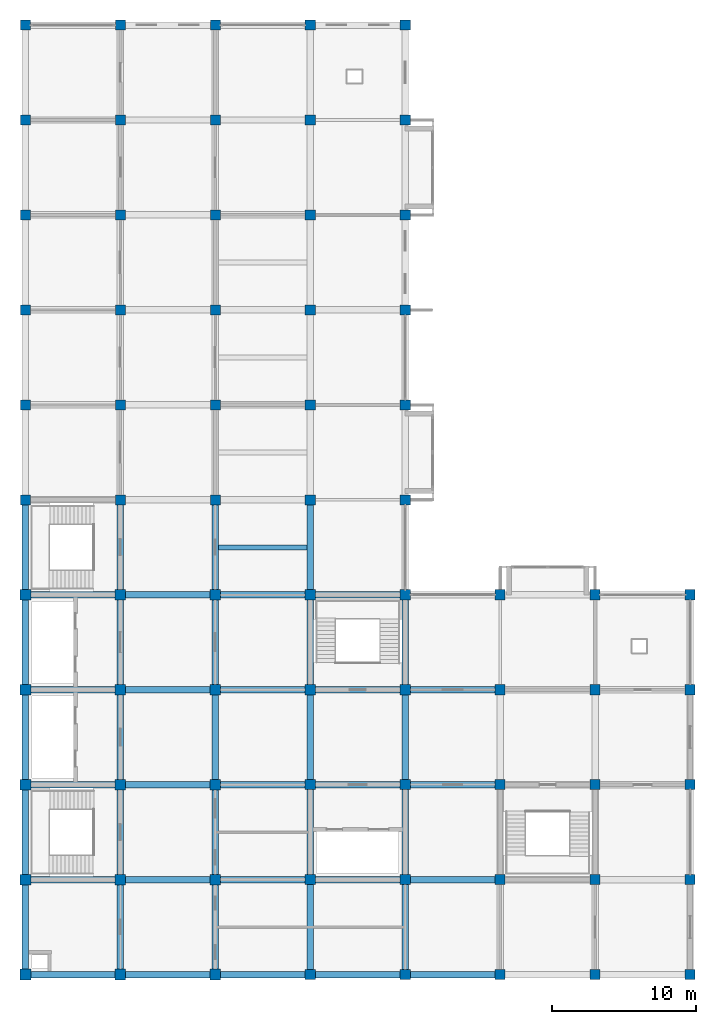
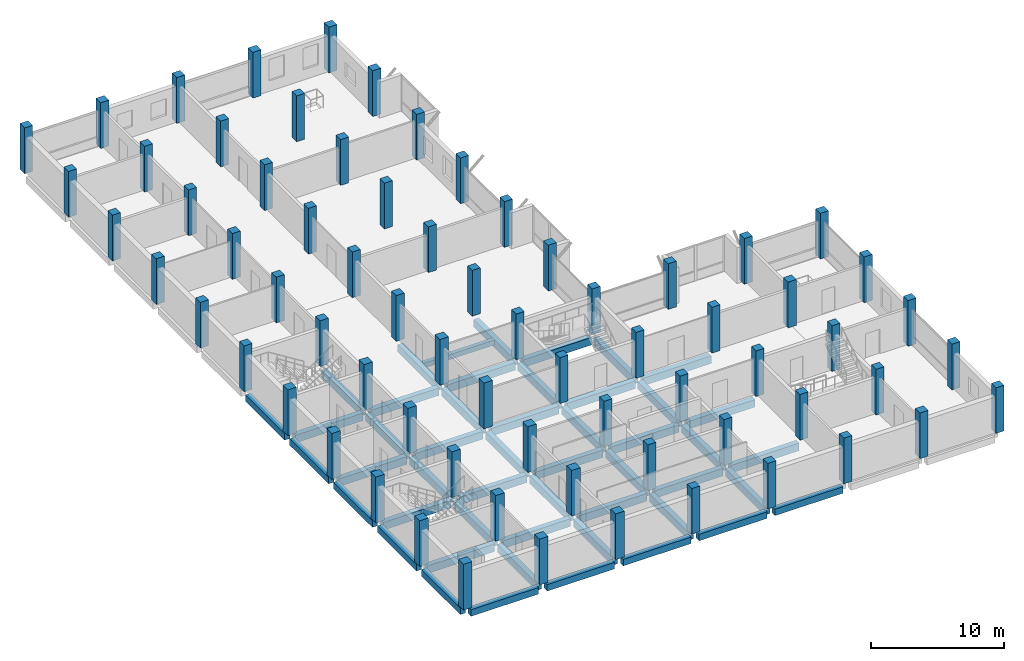
# One storey, part 1 of 11: 70 columns, 49 beams.
"""IFC4 building model written with IfcOpenShell, lengths in metres."""

from ifc_helpers import new_model, si_unit, direction, frame, origin, origin_2d, place, context, subcontext, project, spatial, rectangle, extrude, material, material_profile, profile_set, type_object, element, save


model = new_model("IFC4")

# Units and contexts
model_context = context("Model", 3, precision=1e-05, world=origin(), true_north=direction((0.0, 1.0)))
body_context = subcontext(model_context, "Body", "Model", "MODEL_VIEW")
ifc_project = project(units=[si_unit("LENGTHUNIT", "METRE"), si_unit("AREAUNIT", "SQUARE_METRE"), si_unit("VOLUMEUNIT", "CUBIC_METRE"), si_unit("PLANEANGLEUNIT", "RADIAN"), si_unit("MASSUNIT", "GRAM", prefix="KILO")], contexts=[model_context])

# Site, building, storey
site_placement = place(None, origin())
site = spatial("IfcSite", under=ifc_project, at=site_placement, CompositionType="ELEMENT")
building_placement = place(site_placement, origin())
building = spatial("IfcBuilding", under=site, at=building_placement, Name="Rusizi Kubbe Research Institute", CompositionType="ELEMENT")
storey_placement = place(building_placement, frame((0.0, 0.0, 39.60009765625)))
storey = spatial("IfcBuildingStorey", under=building, at=storey_placement, Name="L09", CompositionType="ELEMENT", Elevation=39.60009765625)

# Columns
ifc_material_1 = material(Name="Concrete C40/50", Category="concrete")
ifc_material_profile_1 = material_profile(ifc_material_1, rectangle(XDim=0.699951171875, YDim=0.699951171875, at=origin_2d()), Name="RC700x700")
ifc_profile_set_1 = profile_set([ifc_material_profile_1], Name="Concrete C40/50")
column_type_1 = type_object("IfcColumnType", Name="COL-700", PredefinedType="COLUMN", material=ifc_profile_set_1)
for number, where, z_axis, x_axis, name in (
    (1, (0.0, 33.0, 0.0), (0.0, 0.0, 1.0), (1.0, 0.0, 0.0), "Column 1F L09"),
    (2, (0.0, 39.60009765625, 0.0), (0.0, 0.0, 1.0), (1.0, 0.0, 0.0), "Column 1G L09"),
    (3, (0.0, 46.199951171875, 0.0), (0.0, 0.0, 1.0), (1.0, 0.0, 0.0), "Column 1H L09"),
    (4, (0.0, 52.800048828125, 0.0), (0.0, 0.0, 1.0), (1.0, 0.0, 0.0), "Column 1J L09"),
    (5, (0.0, 59.39990234375, 0.0), (0.0, 0.0, 1.0), (1.0, 0.0, 0.0), "Column 1K L09"),
    (6, (0.0, 66.0, 0.0), (0.0, 0.0, 1.0), (1.0, 0.0, 0.0), "Column 1L L09"),
    (7, (6.60009765625, 33.0, 0.0), (0.0, 0.0, 1.0), (1.0, 0.0, 0.0), "Column 2F L09"),
    (8, (6.60009765625, 39.60009765625, 0.0), (0.0, 0.0, 1.0), (1.0, 0.0, 0.0), "Column 2G L09"),
    (9, (6.60009765625, 46.199951171875, 0.0), (0.0, 0.0, 1.0), (1.0, 0.0, 0.0), "Column 2H L09"),
    (10, (6.60009765625, 52.800048828125, 0.0), (0.0, 0.0, 1.0), (1.0, 0.0, 0.0), "Column 2J L09"),
    (11, (6.60009765625, 59.39990234375, 0.0), (0.0, 0.0, 1.0), (1.0, 0.0, 0.0), "Column 2K L09"),
    (12, (6.60009765625, 66.0, 0.0), (0.0, 0.0, 1.0), (1.0, 0.0, 0.0), "Column 2L L09"),
    (13, (13.199951171875, 33.0, 0.0), (0.0, 0.0, 1.0), (1.0, 0.0, 0.0), "Column 3F L09"),
    (14, (13.199951171875, 39.60009765625, 0.0), (0.0, 0.0, 1.0), (1.0, 0.0, 0.0), "Column 3G L09"),
    (15, (13.199951171875, 46.199951171875, 0.0), (0.0, 0.0, 1.0), (1.0, 0.0, 0.0), "Column 3H L09"),
    (16, (13.199951171875, 52.800048828125, 0.0), (0.0, 0.0, 1.0), (1.0, 0.0, 0.0), "Column 3J L09"),
    (17, (13.199951171875, 59.39990234375, 0.0), (0.0, 0.0, 1.0), (1.0, 0.0, 0.0), "Column 3K L09"),
    (18, (13.199951171875, 66.0, 0.0), (0.0, 0.0, 1.0), (1.0, 0.0, 0.0), "Column 3L L09"),
    (19, (19.800048828125, 0.0, 0.0), (0.0, 0.0, 1.0), (1.0, 0.0, 0.0), "Column 4A L09"),
    (20, (19.800048828125, 6.60009765625, 0.0), (0.0, 0.0, 1.0), (1.0, 0.0, 0.0), "Column 4B L09"),
    (21, (19.800048828125, 13.199951171875, 0.0), (0.0, 0.0, 1.0), (1.0, 0.0, 0.0), "Column 4C L09"),
    (22, (19.800048828125, 19.800048828125, 0.0), (0.0, 0.0, 1.0), (1.0, 0.0, 0.0), "Column 4D L09"),
    (23, (19.800048828125, 26.39990234375, 0.0), (0.0, 0.0, 1.0), (1.0, 0.0, 0.0), "Column 4E L09"),
    (24, (19.800048828125, 33.0, 0.0), (0.0, 0.0, 1.0), (1.0, 0.0, 0.0), "Column 4F L09"),
    (25, (19.800048828125, 39.60009765625, 0.0), (0.0, 0.0, 1.0), (1.0, 0.0, 0.0), "Column 4G L09"),
    (26, (19.800048828125, 46.199951171875, 0.0), (0.0, 0.0, 1.0), (1.0, 0.0, 0.0), "Column 4H L09"),
    (27, (19.800048828125, 52.800048828125, 0.0), (0.0, 0.0, 1.0), (1.0, 0.0, 0.0), "Column 4J L09"),
    (28, (19.800048828125, 59.39990234375, 0.0), (0.0, 0.0, 1.0), (1.0, 0.0, 0.0), "Column 4K L09"),
    (29, (19.800048828125, 66.0, 0.0), (0.0, 0.0, 1.0), (1.0, 0.0, 0.0), "Column 4L L09"),
    (30, (26.39990234375, 0.0, 0.0), (0.0, 0.0, 1.0), (1.0, 0.0, 0.0), "Column 5A L09"),
    (31, (26.39990234375, 6.60009765625, 0.0), (0.0, 0.0, 1.0), (1.0, 0.0, 0.0), "Column 5B L09"),
    (32, (26.39990234375, 13.199951171875, 0.0), (0.0, 0.0, 1.0), (1.0, 0.0, 0.0), "Column 5C L09"),
    (33, (26.39990234375, 19.800048828125, 0.0), (0.0, 0.0, 1.0), (1.0, 0.0, 0.0), "Column 5D L09"),
    (34, (26.39990234375, 26.39990234375, 0.0), (0.0, 0.0, 1.0), (1.0, 0.0, 0.0), "Column 5E L09"),
    (35, (26.39990234375, 33.0, 0.0), (0.0, 0.0, 1.0), (1.0, 0.0, 0.0), "Column 5F L09"),
    (36, (26.39990234375, 39.60009765625, 0.0), (0.0, 0.0, 1.0), (1.0, 0.0, 0.0), "Column 5G L09"),
    (37, (26.39990234375, 46.199951171875, 0.0), (0.0, 0.0, 1.0), (1.0, 0.0, 0.0), "Column 5H L09"),
    (38, (26.39990234375, 52.800048828125, 0.0), (0.0, 0.0, 1.0), (1.0, 0.0, 0.0), "Column 5J L09"),
    (39, (26.39990234375, 59.39990234375, 0.0), (0.0, 0.0, 1.0), (1.0, 0.0, 0.0), "Column 5K L09"),
    (40, (26.39990234375, 66.0, 0.0), (0.0, 0.0, 1.0), (1.0, 0.0, 0.0), "Column 5L L09"),
    (41, (33.0, 0.0, 0.0), (0.0, 0.0, 1.0), (1.0, 0.0, 0.0), "Column 6A L09"),
    (42, (33.0, 6.60009765625, 0.0), (0.0, 0.0, 1.0), (1.0, 0.0, 0.0), "Column 6B L09"),
    (43, (33.0, 13.199951171875, 0.0), (0.0, 0.0, 1.0), (1.0, 0.0, 0.0), "Column 6C L09"),
    (44, (33.0, 19.800048828125, 0.0), (0.0, 0.0, 1.0), (1.0, 0.0, 0.0), "Column 6D L09"),
    (45, (33.0, 26.39990234375, 0.0), (0.0, 0.0, 1.0), (1.0, 0.0, 0.0), "Column 6E L09"),
    (46, (39.60009765625, 0.0, 0.0), (0.0, 0.0, 1.0), (1.0, 0.0, 0.0), "Column 7A L09"),
    (47, (39.60009765625, 6.60009765625, 0.0), (0.0, 0.0, 1.0), (1.0, 0.0, 0.0), "Column 7B L09"),
    (48, (39.60009765625, 13.199951171875, 0.0), (0.0, 0.0, 1.0), (1.0, 0.0, 0.0), "Column 7C L09"),
    (49, (39.60009765625, 19.800048828125, 0.0), (0.0, 0.0, 1.0), (1.0, 0.0, 0.0), "Column 7D L09"),
    (50, (39.60009765625, 26.39990234375, 0.0), (0.0, 0.0, 1.0), (1.0, 0.0, 0.0), "Column 7E L09"),
    (51, (46.199951171875, 0.0, 0.0), (0.0, 0.0, 1.0), (1.0, 0.0, 0.0), "Column 8A L09"),
    (52, (46.199951171875, 6.60009765625, 0.0), (0.0, 0.0, 1.0), (1.0, 0.0, 0.0), "Column 8B L09"),
    (53, (46.199951171875, 13.199951171875, 0.0), (0.0, 0.0, 1.0), (1.0, 0.0, 0.0), "Column 8C L09"),
    (54, (46.199951171875, 19.800048828125, 0.0), (0.0, 0.0, 1.0), (1.0, 0.0, 0.0), "Column 8D L09"),
    (55, (46.199951171875, 26.39990234375, 0.0), (0.0, 0.0, 1.0), (1.0, 0.0, 0.0), "Column 8E L09"),
):
    element("IfcColumn", number, at=place(storey_placement, frame(where, z_axis=z_axis, x_axis=x_axis)), inside=storey, type_object=column_type_1, Name=name, PredefinedType="COLUMN", context=body_context, shape_type="SweptSolid", body=[
        extrude(rectangle(XDim=0.699951171875, YDim=0.699951171875, at=origin_2d()), origin(), (0.0, 0.0, 1.0), 4.199951171875),
    ])
ifc_material_2 = material(Name="Concrete C40/50", Category="concrete")
ifc_material_profile_2 = material_profile(ifc_material_2, rectangle(XDim=0.75, YDim=0.75, at=origin_2d()), Name="RC750x750")
ifc_profile_set_2 = profile_set([ifc_material_profile_2], Name="Concrete C40/50")
column_type_2 = type_object("IfcColumnType", Name="COL-750", PredefinedType="COLUMN", material=ifc_profile_set_2)
for number, where, z_axis, x_axis, name in (
    (56, (0.0, 0.0, 0.0), (0.0, 0.0, 1.0), (1.0, 0.0, 0.0), "Column 1A L09"),
    (57, (0.0, 6.60009765625, 0.0), (0.0, 0.0, 1.0), (1.0, 0.0, 0.0), "Column 1B L09"),
    (58, (0.0, 13.199951171875, 0.0), (0.0, 0.0, 1.0), (1.0, 0.0, 0.0), "Column 1C L09"),
    (59, (0.0, 19.800048828125, 0.0), (0.0, 0.0, 1.0), (1.0, 0.0, 0.0), "Column 1D L09"),
    (60, (0.0, 26.39990234375, 0.0), (0.0, 0.0, 1.0), (1.0, 0.0, 0.0), "Column 1E L09"),
    (61, (6.60009765625, 0.0, 0.0), (0.0, 0.0, 1.0), (1.0, 0.0, 0.0), "Column 2A L09"),
    (62, (6.60009765625, 6.60009765625, 0.0), (0.0, 0.0, 1.0), (1.0, 0.0, 0.0), "Column 2B L09"),
    (63, (6.60009765625, 13.199951171875, 0.0), (0.0, 0.0, 1.0), (1.0, 0.0, 0.0), "Column 2C L09"),
    (64, (6.60009765625, 19.800048828125, 0.0), (0.0, 0.0, 1.0), (1.0, 0.0, 0.0), "Column 2D L09"),
    (65, (6.60009765625, 26.39990234375, 0.0), (0.0, 0.0, 1.0), (1.0, 0.0, 0.0), "Column 2E L09"),
    (66, (13.199951171875, 0.0, 0.0), (0.0, 0.0, 1.0), (1.0, 0.0, 0.0), "Column 3A L09"),
    (67, (13.199951171875, 6.60009765625, 0.0), (0.0, 0.0, 1.0), (1.0, 0.0, 0.0), "Column 3B L09"),
    (68, (13.199951171875, 13.199951171875, 0.0), (0.0, 0.0, 1.0), (1.0, 0.0, 0.0), "Column 3C L09"),
    (69, (13.199951171875, 19.800048828125, 0.0), (0.0, 0.0, 1.0), (1.0, 0.0, 0.0), "Column 3D L09"),
    (70, (13.199951171875, 26.39990234375, 0.0), (0.0, 0.0, 1.0), (1.0, 0.0, 0.0), "Column 3E L09"),
):
    element("IfcColumn", number, at=place(storey_placement, frame(where, z_axis=z_axis, x_axis=x_axis)), inside=storey, type_object=column_type_2, Name=name, PredefinedType="COLUMN", context=body_context, shape_type="SweptSolid", body=[
        extrude(rectangle(XDim=0.75, YDim=0.75, at=origin_2d()), origin(), (0.0, 0.0, 1.0), 4.199951171875),
    ])

# Beams
ifc_material_3 = material(Name="Concrete C40/50", Category="concrete")
ifc_material_profile_3 = material_profile(ifc_material_3, rectangle(XDim=0.35009765625, YDim=0.449951171875, at=origin_2d()), Name="RC350x450")
ifc_profile_set_3 = profile_set([ifc_material_profile_3], Name="Concrete C40/50")
beam_type_1 = type_object("IfcBeamType", Name="BM-RC350x450", PredefinedType="JOIST", material=ifc_profile_set_3)
beam_1_placement = place(storey_placement, frame((13.425048828125, 29.699951171875, -0.545166015625), z_axis=(1.0, 0.0, 0.0), x_axis=(0.0, 1.0, 0.0)))
element("IfcBeam", 71, at=beam_1_placement, inside=storey, type_object=beam_type_1, Name="Lab Stiffener Joist L09 (2,4)", PredefinedType="JOIST", context=body_context, shape_type="SweptSolid", body=[
    extrude(rectangle(XDim=0.35009765625, YDim=0.449951171875, at=origin_2d()), origin(), (0.0, 0.0, 1.0), 6.14990234375),
])
ifc_material_4 = material(Name="Concrete C40/50", Category="concrete")
ifc_material_profile_4 = material_profile(ifc_material_4, rectangle(XDim=0.449951171875, YDim=0.60009765625, at=origin_2d()), Name="RC450x600")
ifc_profile_set_4 = profile_set([ifc_material_profile_4], Name="Concrete C40/50")
beam_type_2 = type_object("IfcBeamType", Name="BM-RC450x600", PredefinedType="SPANDREL", material=ifc_profile_set_4)
beam_2_placement = place(storey_placement, frame((0.375, 0.0, -0.6201171875), z_axis=(1.0, 0.0, 0.0), x_axis=(0.0, 1.0, 0.0)))
element("IfcBeam", 72, at=beam_2_placement, inside=storey, type_object=beam_type_2, Name="Grid Beam H L09 (0,0)", PredefinedType="SPANDREL", context=body_context, shape_type="SweptSolid", body=[
    extrude(rectangle(XDim=0.449951171875, YDim=0.60009765625, at=origin_2d()), origin(), (0.0, 0.0, 1.0), 5.85009765625),
])
beam_3_placement = place(storey_placement, frame((6.97509765625, 0.0, -0.6201171875), z_axis=(1.0, 0.0, 0.0), x_axis=(0.0, 1.0, 0.0)))
element("IfcBeam", 73, at=beam_3_placement, inside=storey, type_object=beam_type_2, Name="Grid Beam H L09 (1,0)", PredefinedType="SPANDREL", context=body_context, shape_type="SweptSolid", body=[
    extrude(rectangle(XDim=0.449951171875, YDim=0.60009765625, at=origin_2d()), origin(), (0.0, 0.0, 1.0), 5.849853515625),
])
beam_4_placement = place(storey_placement, frame((13.574951171875, 0.0, -0.6201171875), z_axis=(1.0, 0.0, 0.0), x_axis=(0.0, 1.0, 0.0)))
element("IfcBeam", 74, at=beam_4_placement, inside=storey, type_object=beam_type_2, Name="Grid Beam H L09 (2,0)", PredefinedType="SPANDREL", context=body_context, shape_type="SweptSolid", body=[
    extrude(rectangle(XDim=0.449951171875, YDim=0.60009765625, at=origin_2d()), origin(), (0.0, 0.0, 1.0), 5.875),
])
beam_5_placement = place(storey_placement, frame((20.14990234375, 0.0, -0.6201171875), z_axis=(1.0, 0.0, 0.0), x_axis=(0.0, 1.0, 0.0)))
element("IfcBeam", 75, at=beam_5_placement, inside=storey, type_object=beam_type_2, Name="Grid Beam H L09 (3,0)", PredefinedType="SPANDREL", context=body_context, shape_type="SweptSolid", body=[
    extrude(rectangle(XDim=0.449951171875, YDim=0.60009765625, at=origin_2d()), origin(), (0.0, 0.0, 1.0), 5.900146484375),
])
beam_6_placement = place(storey_placement, frame((26.75, 0.0, -0.6201171875), z_axis=(1.0, 0.0, 0.0), x_axis=(0.0, 1.0, 0.0)))
element("IfcBeam", 76, at=beam_6_placement, inside=storey, type_object=beam_type_2, Name="Grid Beam H L09 (4,0)", PredefinedType="SPANDREL", context=body_context, shape_type="SweptSolid", body=[
    extrude(rectangle(XDim=0.449951171875, YDim=0.60009765625, at=origin_2d()), origin(), (0.0, 0.0, 1.0), 5.89990234375),
])
beam_7_placement = place(storey_placement, frame((0.0, 0.375, -0.6201171875), z_axis=(0.0, 1.0, 0.0), x_axis=(-1.0, 0.0, 0.0)))
element("IfcBeam", 77, at=beam_7_placement, inside=storey, type_object=beam_type_2, Name="Grid Beam V L09 (0,0)", PredefinedType="SPANDREL", context=body_context, shape_type="SweptSolid", body=[
    extrude(rectangle(XDim=0.449951171875, YDim=0.60009765625, at=origin_2d()), origin(), (0.0, 0.0, 1.0), 5.85009765625),
])
beam_8_placement = place(storey_placement, frame((0.0, 6.97509765625, -0.6201171875), z_axis=(0.0, 1.0, 0.0), x_axis=(-1.0, 0.0, 0.0)))
element("IfcBeam", 78, at=beam_8_placement, inside=storey, type_object=beam_type_2, Name="Grid Beam V L09 (0,1)", PredefinedType="SPANDREL", context=body_context, shape_type="SweptSolid", body=[
    extrude(rectangle(XDim=0.449951171875, YDim=0.60009765625, at=origin_2d()), origin(), (0.0, 0.0, 1.0), 5.849853515625),
])
beam_9_placement = place(storey_placement, frame((0.0, 13.574951171875, -0.6201171875), z_axis=(0.0, 1.0, 0.0), x_axis=(-1.0, 0.0, 0.0)))
element("IfcBeam", 79, at=beam_9_placement, inside=storey, type_object=beam_type_2, Name="Grid Beam V L09 (0,2)", PredefinedType="SPANDREL", context=body_context, shape_type="SweptSolid", body=[
    extrude(rectangle(XDim=0.449951171875, YDim=0.60009765625, at=origin_2d()), origin(), (0.0, 0.0, 1.0), 5.85009765625),
])
beam_10_placement = place(storey_placement, frame((0.0, 20.175048828125, -0.6201171875), z_axis=(0.0, 1.0, 0.0), x_axis=(-1.0, 0.0, 0.0)))
element("IfcBeam", 80, at=beam_10_placement, inside=storey, type_object=beam_type_2, Name="Grid Beam V L09 (0,3)", PredefinedType="SPANDREL", context=body_context, shape_type="SweptSolid", body=[
    extrude(rectangle(XDim=0.449951171875, YDim=0.60009765625, at=origin_2d()), origin(), (0.0, 0.0, 1.0), 5.849853515625),
])
beam_11_placement = place(storey_placement, frame((0.0, 26.77490234375, -0.6201171875), z_axis=(0.0, 1.0, 0.0), x_axis=(-1.0, 0.0, 0.0)))
element("IfcBeam", 81, at=beam_11_placement, inside=storey, type_object=beam_type_2, Name="Grid Beam V L09 (0,4)", PredefinedType="SPANDREL", context=body_context, shape_type="SweptSolid", body=[
    extrude(rectangle(XDim=0.449951171875, YDim=0.60009765625, at=origin_2d()), origin(), (0.0, 0.0, 1.0), 5.875),
])
ifc_material_5 = material(Name="Concrete C40/50", Category="concrete")
ifc_material_profile_5 = material_profile(ifc_material_5, rectangle(XDim=0.449951171875, YDim=0.699951171875, at=origin_2d()), Name="RC450x700B")
ifc_profile_set_5 = profile_set([ifc_material_profile_5], Name="Concrete C40/50")
beam_type_3 = type_object("IfcBeamType", Name="BM-RC450x700", PredefinedType="BEAM", material=ifc_profile_set_5)
for number, where, z_axis, x_axis, name in (
    (82, (0.375, 6.60009765625, -0.670166015625), (1.0, 0.0, 0.0), (0.0, 1.0, 0.0), "Grid Beam H L09 (0,1)"),
    (83, (0.375, 13.199951171875, -0.670166015625), (1.0, 0.0, 0.0), (0.0, 1.0, 0.0), "Grid Beam H L09 (0,2)"),
    (84, (0.375, 19.800048828125, -0.670166015625), (1.0, 0.0, 0.0), (0.0, 1.0, 0.0), "Grid Beam H L09 (0,3)"),
    (85, (0.375, 26.39990234375, -0.670166015625), (1.0, 0.0, 0.0), (0.0, 1.0, 0.0), "Grid Beam H L09 (0,4)"),
):
    element("IfcBeam", number, at=place(storey_placement, frame(where, z_axis=z_axis, x_axis=x_axis)), inside=storey, type_object=beam_type_3, Name=name, PredefinedType="BEAM", context=body_context, shape_type="SweptSolid", body=[
        extrude(rectangle(XDim=0.449951171875, YDim=0.699951171875, at=origin_2d()), origin(), (0.0, 0.0, 1.0), 5.85009765625),
    ])
for number, where, z_axis, x_axis, name in (
    (86, (6.97509765625, 6.60009765625, -0.670166015625), (1.0, 0.0, 0.0), (0.0, 1.0, 0.0), "Grid Beam H L09 (1,1)"),
    (87, (6.97509765625, 13.199951171875, -0.670166015625), (1.0, 0.0, 0.0), (0.0, 1.0, 0.0), "Grid Beam H L09 (1,2)"),
    (88, (6.97509765625, 19.800048828125, -0.670166015625), (1.0, 0.0, 0.0), (0.0, 1.0, 0.0), "Grid Beam H L09 (1,3)"),
    (89, (6.97509765625, 26.39990234375, -0.670166015625), (1.0, 0.0, 0.0), (0.0, 1.0, 0.0), "Grid Beam H L09 (1,4)"),
):
    element("IfcBeam", number, at=place(storey_placement, frame(where, z_axis=z_axis, x_axis=x_axis)), inside=storey, type_object=beam_type_3, Name=name, PredefinedType="BEAM", context=body_context, shape_type="SweptSolid", body=[
        extrude(rectangle(XDim=0.449951171875, YDim=0.699951171875, at=origin_2d()), origin(), (0.0, 0.0, 1.0), 5.849853515625),
    ])
for number, where, z_axis, x_axis, name in (
    (90, (13.574951171875, 6.60009765625, -0.670166015625), (1.0, 0.0, 0.0), (0.0, 1.0, 0.0), "Grid Beam H L09 (2,1)"),
    (91, (13.574951171875, 13.199951171875, -0.670166015625), (1.0, 0.0, 0.0), (0.0, 1.0, 0.0), "Grid Beam H L09 (2,2)"),
    (92, (13.574951171875, 19.800048828125, -0.670166015625), (1.0, 0.0, 0.0), (0.0, 1.0, 0.0), "Grid Beam H L09 (2,3)"),
    (93, (13.574951171875, 26.39990234375, -0.670166015625), (1.0, 0.0, 0.0), (0.0, 1.0, 0.0), "Grid Beam H L09 (2,4)"),
):
    element("IfcBeam", number, at=place(storey_placement, frame(where, z_axis=z_axis, x_axis=x_axis)), inside=storey, type_object=beam_type_3, Name=name, PredefinedType="BEAM", context=body_context, shape_type="SweptSolid", body=[
        extrude(rectangle(XDim=0.449951171875, YDim=0.699951171875, at=origin_2d()), origin(), (0.0, 0.0, 1.0), 5.875),
    ])
for number, where, z_axis, x_axis, name in (
    (94, (20.14990234375, 6.60009765625, -0.670166015625), (1.0, 0.0, 0.0), (0.0, 1.0, 0.0), "Grid Beam H L09 (3,1)"),
    (95, (20.14990234375, 13.199951171875, -0.670166015625), (1.0, 0.0, 0.0), (0.0, 1.0, 0.0), "Grid Beam H L09 (3,2)"),
    (96, (20.14990234375, 19.800048828125, -0.670166015625), (1.0, 0.0, 0.0), (0.0, 1.0, 0.0), "Grid Beam H L09 (3,3)"),
    (97, (20.14990234375, 26.39990234375, -0.670166015625), (1.0, 0.0, 0.0), (0.0, 1.0, 0.0), "Grid Beam H L09 (3,4)"),
):
    element("IfcBeam", number, at=place(storey_placement, frame(where, z_axis=z_axis, x_axis=x_axis)), inside=storey, type_object=beam_type_3, Name=name, PredefinedType="BEAM", context=body_context, shape_type="SweptSolid", body=[
        extrude(rectangle(XDim=0.449951171875, YDim=0.699951171875, at=origin_2d()), origin(), (0.0, 0.0, 1.0), 5.900146484375),
    ])
for number, where, z_axis, x_axis, name in (
    (98, (26.75, 6.60009765625, -0.670166015625), (1.0, 0.0, 0.0), (0.0, 1.0, 0.0), "Grid Beam H L09 (4,1)"),
    (99, (26.75, 13.199951171875, -0.670166015625), (1.0, 0.0, 0.0), (0.0, 1.0, 0.0), "Grid Beam H L09 (4,2)"),
    (100, (26.75, 19.800048828125, -0.670166015625), (1.0, 0.0, 0.0), (0.0, 1.0, 0.0), "Grid Beam H L09 (4,3)"),
):
    element("IfcBeam", number, at=place(storey_placement, frame(where, z_axis=z_axis, x_axis=x_axis)), inside=storey, type_object=beam_type_3, Name=name, PredefinedType="BEAM", context=body_context, shape_type="SweptSolid", body=[
        extrude(rectangle(XDim=0.449951171875, YDim=0.699951171875, at=origin_2d()), origin(), (0.0, 0.0, 1.0), 5.89990234375),
    ])
beam_12_placement = place(storey_placement, frame((6.60009765625, 0.375, -0.670166015625), z_axis=(0.0, 1.0, 0.0), x_axis=(-1.0, 0.0, 0.0)))
element("IfcBeam", 101, at=beam_12_placement, inside=storey, type_object=beam_type_3, Name="Grid Beam V L09 (1,0)", PredefinedType="BEAM", context=body_context, shape_type="SweptSolid", body=[
    extrude(rectangle(XDim=0.449951171875, YDim=0.699951171875, at=origin_2d()), origin(), (0.0, 0.0, 1.0), 5.85009765625),
])
beam_13_placement = place(storey_placement, frame((6.60009765625, 6.97509765625, -0.670166015625), z_axis=(0.0, 1.0, 0.0), x_axis=(-1.0, 0.0, 0.0)))
element("IfcBeam", 102, at=beam_13_placement, inside=storey, type_object=beam_type_3, Name="Grid Beam V L09 (1,1)", PredefinedType="BEAM", context=body_context, shape_type="SweptSolid", body=[
    extrude(rectangle(XDim=0.449951171875, YDim=0.699951171875, at=origin_2d()), origin(), (0.0, 0.0, 1.0), 5.849853515625),
])
beam_14_placement = place(storey_placement, frame((6.60009765625, 13.574951171875, -0.670166015625), z_axis=(0.0, 1.0, 0.0), x_axis=(-1.0, 0.0, 0.0)))
element("IfcBeam", 103, at=beam_14_placement, inside=storey, type_object=beam_type_3, Name="Grid Beam V L09 (1,2)", PredefinedType="BEAM", context=body_context, shape_type="SweptSolid", body=[
    extrude(rectangle(XDim=0.449951171875, YDim=0.699951171875, at=origin_2d()), origin(), (0.0, 0.0, 1.0), 5.85009765625),
])
beam_15_placement = place(storey_placement, frame((6.60009765625, 20.175048828125, -0.670166015625), z_axis=(0.0, 1.0, 0.0), x_axis=(-1.0, 0.0, 0.0)))
element("IfcBeam", 104, at=beam_15_placement, inside=storey, type_object=beam_type_3, Name="Grid Beam V L09 (1,3)", PredefinedType="BEAM", context=body_context, shape_type="SweptSolid", body=[
    extrude(rectangle(XDim=0.449951171875, YDim=0.699951171875, at=origin_2d()), origin(), (0.0, 0.0, 1.0), 5.849853515625),
])
beam_16_placement = place(storey_placement, frame((6.60009765625, 26.77490234375, -0.670166015625), z_axis=(0.0, 1.0, 0.0), x_axis=(-1.0, 0.0, 0.0)))
element("IfcBeam", 105, at=beam_16_placement, inside=storey, type_object=beam_type_3, Name="Grid Beam V L09 (1,4)", PredefinedType="BEAM", context=body_context, shape_type="SweptSolid", body=[
    extrude(rectangle(XDim=0.449951171875, YDim=0.699951171875, at=origin_2d()), origin(), (0.0, 0.0, 1.0), 5.875),
])
beam_17_placement = place(storey_placement, frame((13.199951171875, 0.375, -0.670166015625), z_axis=(0.0, 1.0, 0.0), x_axis=(-1.0, 0.0, 0.0)))
element("IfcBeam", 106, at=beam_17_placement, inside=storey, type_object=beam_type_3, Name="Grid Beam V L09 (2,0)", PredefinedType="BEAM", context=body_context, shape_type="SweptSolid", body=[
    extrude(rectangle(XDim=0.449951171875, YDim=0.699951171875, at=origin_2d()), origin(), (0.0, 0.0, 1.0), 5.85009765625),
])
beam_18_placement = place(storey_placement, frame((13.199951171875, 6.97509765625, -0.670166015625), z_axis=(0.0, 1.0, 0.0), x_axis=(-1.0, 0.0, 0.0)))
element("IfcBeam", 107, at=beam_18_placement, inside=storey, type_object=beam_type_3, Name="Grid Beam V L09 (2,1)", PredefinedType="BEAM", context=body_context, shape_type="SweptSolid", body=[
    extrude(rectangle(XDim=0.449951171875, YDim=0.699951171875, at=origin_2d()), origin(), (0.0, 0.0, 1.0), 5.849853515625),
])
beam_19_placement = place(storey_placement, frame((13.199951171875, 13.574951171875, -0.670166015625), z_axis=(0.0, 1.0, 0.0), x_axis=(-1.0, 0.0, 0.0)))
element("IfcBeam", 108, at=beam_19_placement, inside=storey, type_object=beam_type_3, Name="Grid Beam V L09 (2,2)", PredefinedType="BEAM", context=body_context, shape_type="SweptSolid", body=[
    extrude(rectangle(XDim=0.449951171875, YDim=0.699951171875, at=origin_2d()), origin(), (0.0, 0.0, 1.0), 5.85009765625),
])
beam_20_placement = place(storey_placement, frame((13.199951171875, 20.175048828125, -0.670166015625), z_axis=(0.0, 1.0, 0.0), x_axis=(-1.0, 0.0, 0.0)))
element("IfcBeam", 109, at=beam_20_placement, inside=storey, type_object=beam_type_3, Name="Grid Beam V L09 (2,3)", PredefinedType="BEAM", context=body_context, shape_type="SweptSolid", body=[
    extrude(rectangle(XDim=0.449951171875, YDim=0.699951171875, at=origin_2d()), origin(), (0.0, 0.0, 1.0), 5.849853515625),
])
beam_21_placement = place(storey_placement, frame((13.199951171875, 26.77490234375, -0.670166015625), z_axis=(0.0, 1.0, 0.0), x_axis=(-1.0, 0.0, 0.0)))
element("IfcBeam", 110, at=beam_21_placement, inside=storey, type_object=beam_type_3, Name="Grid Beam V L09 (2,4)", PredefinedType="BEAM", context=body_context, shape_type="SweptSolid", body=[
    extrude(rectangle(XDim=0.449951171875, YDim=0.699951171875, at=origin_2d()), origin(), (0.0, 0.0, 1.0), 5.875),
])
beam_22_placement = place(storey_placement, frame((19.800048828125, 0.35009765625, -0.670166015625), z_axis=(0.0, 1.0, 0.0), x_axis=(-1.0, 0.0, 0.0)))
element("IfcBeam", 111, at=beam_22_placement, inside=storey, type_object=beam_type_3, Name="Grid Beam V L09 (3,0)", PredefinedType="BEAM", context=body_context, shape_type="SweptSolid", body=[
    extrude(rectangle(XDim=0.449951171875, YDim=0.699951171875, at=origin_2d()), origin(), (0.0, 0.0, 1.0), 5.89990234375),
])
beam_23_placement = place(storey_placement, frame((19.800048828125, 6.949951171875, -0.670166015625), z_axis=(0.0, 1.0, 0.0), x_axis=(-1.0, 0.0, 0.0)))
element("IfcBeam", 112, at=beam_23_placement, inside=storey, type_object=beam_type_3, Name="Grid Beam V L09 (3,1)", PredefinedType="BEAM", context=body_context, shape_type="SweptSolid", body=[
    extrude(rectangle(XDim=0.449951171875, YDim=0.699951171875, at=origin_2d()), origin(), (0.0, 0.0, 1.0), 5.900146484375),
])
beam_24_placement = place(storey_placement, frame((19.800048828125, 13.550048828125, -0.670166015625), z_axis=(0.0, 1.0, 0.0), x_axis=(-1.0, 0.0, 0.0)))
element("IfcBeam", 113, at=beam_24_placement, inside=storey, type_object=beam_type_3, Name="Grid Beam V L09 (3,2)", PredefinedType="BEAM", context=body_context, shape_type="SweptSolid", body=[
    extrude(rectangle(XDim=0.449951171875, YDim=0.699951171875, at=origin_2d()), origin(), (0.0, 0.0, 1.0), 5.89990234375),
])
beam_25_placement = place(storey_placement, frame((19.800048828125, 20.14990234375, -0.670166015625), z_axis=(0.0, 1.0, 0.0), x_axis=(-1.0, 0.0, 0.0)))
element("IfcBeam", 114, at=beam_25_placement, inside=storey, type_object=beam_type_3, Name="Grid Beam V L09 (3,3)", PredefinedType="BEAM", context=body_context, shape_type="SweptSolid", body=[
    extrude(rectangle(XDim=0.449951171875, YDim=0.699951171875, at=origin_2d()), origin(), (0.0, 0.0, 1.0), 5.900146484375),
])
for number, where, z_axis, x_axis, name in (
    (115, (19.800048828125, 26.75, -0.670166015625), (0.0, 1.0, 0.0), (-1.0, 0.0, 0.0), "Grid Beam V L09 (3,4)"),
    (116, (26.39990234375, 0.35009765625, -0.670166015625), (0.0, 1.0, 0.0), (-1.0, 0.0, 0.0), "Grid Beam V L09 (4,0)"),
):
    element("IfcBeam", number, at=place(storey_placement, frame(where, z_axis=z_axis, x_axis=x_axis)), inside=storey, type_object=beam_type_3, Name=name, PredefinedType="BEAM", context=body_context, shape_type="SweptSolid", body=[
        extrude(rectangle(XDim=0.449951171875, YDim=0.699951171875, at=origin_2d()), origin(), (0.0, 0.0, 1.0), 5.89990234375),
    ])
beam_26_placement = place(storey_placement, frame((26.39990234375, 6.949951171875, -0.670166015625), z_axis=(0.0, 1.0, 0.0), x_axis=(-1.0, 0.0, 0.0)))
element("IfcBeam", 117, at=beam_26_placement, inside=storey, type_object=beam_type_3, Name="Grid Beam V L09 (4,1)", PredefinedType="BEAM", context=body_context, shape_type="SweptSolid", body=[
    extrude(rectangle(XDim=0.449951171875, YDim=0.699951171875, at=origin_2d()), origin(), (0.0, 0.0, 1.0), 5.900146484375),
])
beam_27_placement = place(storey_placement, frame((26.39990234375, 13.550048828125, -0.670166015625), z_axis=(0.0, 1.0, 0.0), x_axis=(-1.0, 0.0, 0.0)))
element("IfcBeam", 118, at=beam_27_placement, inside=storey, type_object=beam_type_3, Name="Grid Beam V L09 (4,2)", PredefinedType="BEAM", context=body_context, shape_type="SweptSolid", body=[
    extrude(rectangle(XDim=0.449951171875, YDim=0.699951171875, at=origin_2d()), origin(), (0.0, 0.0, 1.0), 5.89990234375),
])
beam_28_placement = place(storey_placement, frame((26.39990234375, 20.14990234375, -0.670166015625), z_axis=(0.0, 1.0, 0.0), x_axis=(-1.0, 0.0, 0.0)))
element("IfcBeam", 119, at=beam_28_placement, inside=storey, type_object=beam_type_3, Name="Grid Beam V L09 (4,3)", PredefinedType="BEAM", context=body_context, shape_type="SweptSolid", body=[
    extrude(rectangle(XDim=0.449951171875, YDim=0.699951171875, at=origin_2d()), origin(), (0.0, 0.0, 1.0), 5.900146484375),
])

save(model, "model.ifc")
